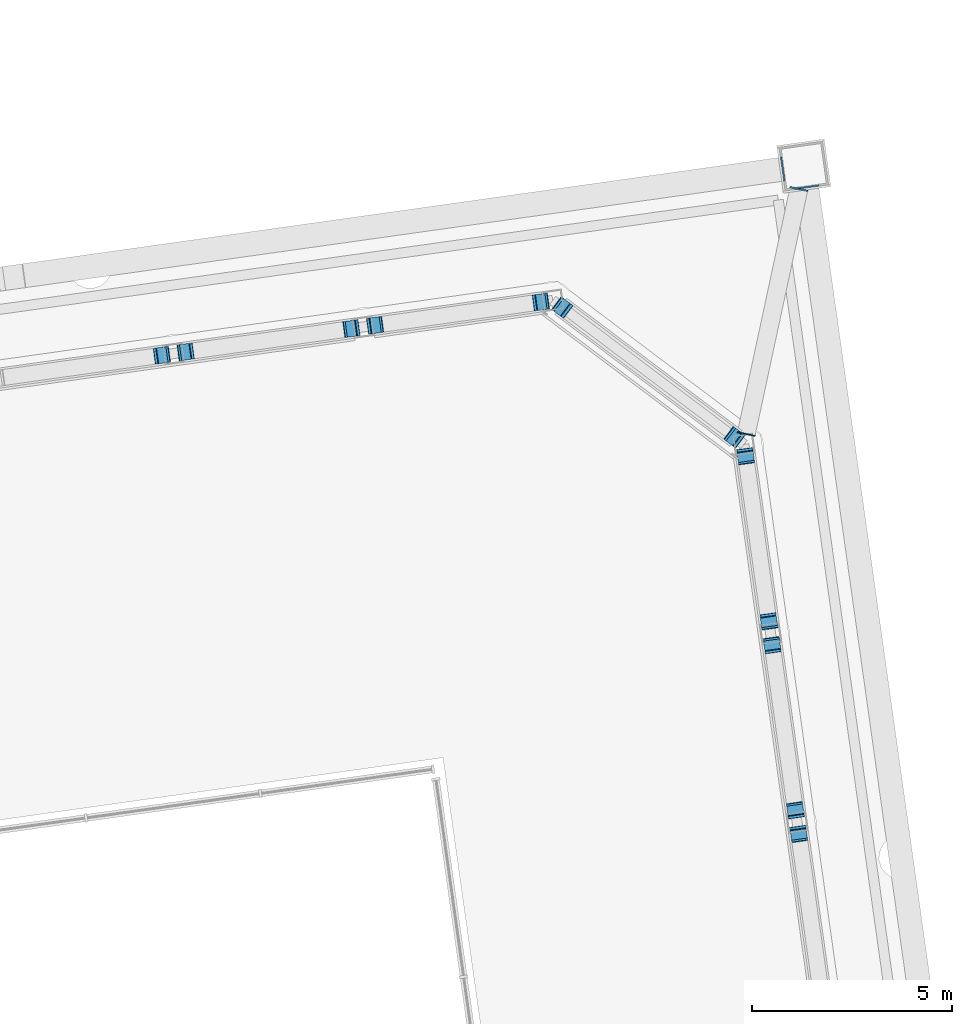
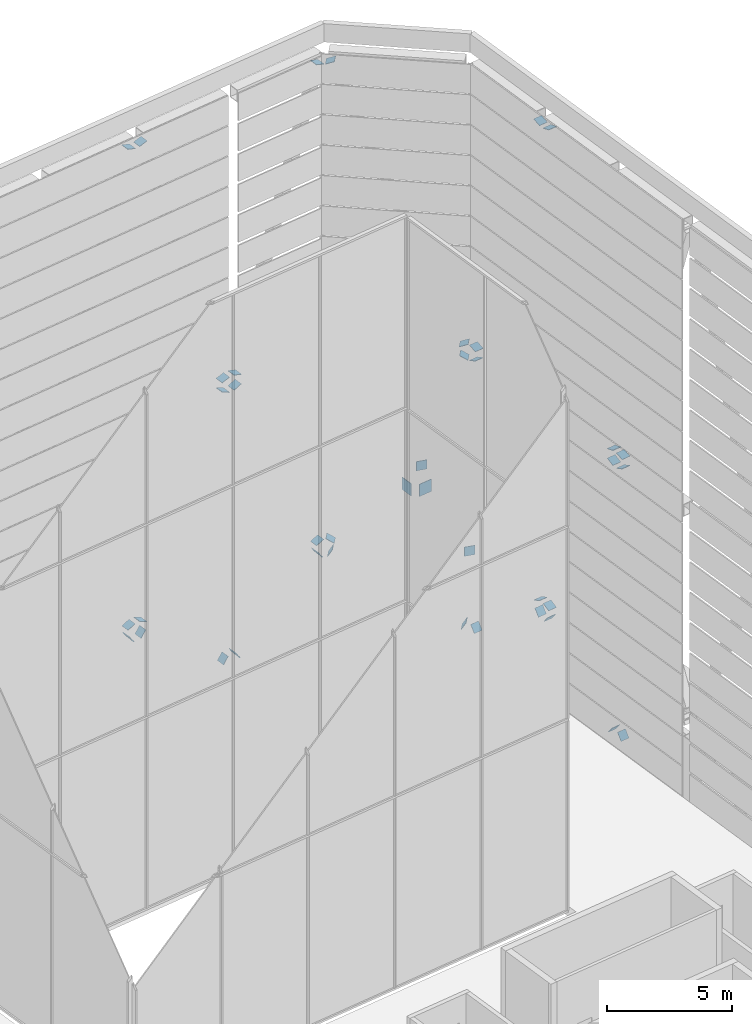
# One storey, part 41 of 45: 40 discrete accessories.
"""IFC4 building model written with IfcOpenShell, lengths in metres."""

import ifcopenshell
import ifcopenshell.guid

model = None  # the IFC model being written
_history = None  # IfcOwnerHistory: only IFC2X3 demands one
_inside = {}  # id of a spatial element -> (the spatial element, [elements in it])
_under = {}  # id of a project, library or spatial element -> (it, [spatial elements below it])
_declared = {}  # id of a project -> (the project, [libraries it declares])
_typed = {}  # id of a type object -> (the type object, [elements of that type])
_made_of = {}  # id of a material, layer set ... -> (it, [elements and type objects made of it])


def new_model(schema):
    """Start an empty IFC model of exactly this schema.

    Asked for "IFC4X3", IfcOpenShell would pick the latest addendum, in which some entities
    have other attributes; the version numbers below select the first issue.
    IFC2X3 requires an IfcOwnerHistory on every rooted entity: one is made here for all.
    """
    global model, _history
    if schema == "IFC4X3":
        model = ifcopenshell.file(schema_version=(4, 3, 0, 0))
    else:
        model = ifcopenshell.file(schema=schema)
    _inside.clear()
    _under.clear()
    _declared.clear()
    _typed.clear()
    _made_of.clear()
    _history = None
    if model.schema == "IFC2X3":
        org = make("IfcOrganization", Name="unknown")
        user = make(
            "IfcPersonAndOrganization",
            ThePerson=make("IfcPerson", FamilyName="unknown"),
            TheOrganization=org,
        )
        app = make(
            "IfcApplication",
            ApplicationDeveloper=org,
            Version="unknown",
            ApplicationFullName="unknown",
            ApplicationIdentifier="unknown",
        )
        _history = make(
            "IfcOwnerHistory",
            OwningUser=user,
            OwningApplication=app,
            ChangeAction="ADDED",
            CreationDate=0,
        )
    return model


def make(cls, **values):
    """One entity of the class cls with the attributes given. An attribute that is None is left unset."""
    return model.create_entity(
        cls, **{name: value for name, value in values.items() if value is not None}
    )


def rooted(cls, **values):
    """An entity with a GlobalId (a new one), such as an element, a storey or a relation."""
    return make(cls, GlobalId=ifcopenshell.guid.new(), OwnerHistory=_history, **values)


def si_unit(unit_type, name, prefix=None):
    """IfcSIUnit, for example si_unit("LENGTHUNIT", "METRE", prefix="MILLI")."""
    return make("IfcSIUnit", UnitType=unit_type, Prefix=prefix, Name=name)


def assignment(units):
    """IfcUnitAssignment: the units of a project."""
    return None if units is None else make("IfcUnitAssignment", Units=units)


def point(xyz):
    """IfcCartesianPoint."""
    return None if xyz is None else make("IfcCartesianPoint", Coordinates=xyz)


def direction(xyz):
    """IfcDirection."""
    return None if xyz is None else make("IfcDirection", DirectionRatios=xyz)


def frame(location, z_axis=None, x_axis=None):
    """IfcAxis2Placement3D, a coordinate frame: its origin and axes. An axis left out is left unset."""
    return make(
        "IfcAxis2Placement3D",
        Location=point(location),
        Axis=direction(z_axis),
        RefDirection=direction(x_axis),
    )


def frame_2d(location, x_axis=None):
    """IfcAxis2Placement2D, a coordinate frame in the plane: its origin and x axis."""
    return make(
        "IfcAxis2Placement2D", Location=point(location), RefDirection=direction(x_axis)
    )


def origin():
    """The frame at (0, 0, 0) with its axes left unset."""
    return frame((0.0, 0.0, 0.0))


def origin_2d():
    """The frame at (0, 0) in the plane with its x axis left unset."""
    return frame_2d((0.0, 0.0))


def place(relative_to, where):
    """IfcLocalPlacement: puts the frame where relative to a parent placement (None: the world)."""
    return make(
        "IfcLocalPlacement", PlacementRelTo=relative_to, RelativePlacement=where
    )


def context(
    kind, dimensions, precision=None, world=None, true_north=None, identifier=None
):
    """IfcGeometricRepresentationContext, for example the 3D "Model" context."""
    return make(
        "IfcGeometricRepresentationContext",
        ContextIdentifier=identifier,
        ContextType=kind,
        CoordinateSpaceDimension=dimensions,
        Precision=precision,
        WorldCoordinateSystem=world,
        TrueNorth=true_north,
    )


def subcontext(parent, identifier, kind, view, scale=None):
    """IfcGeometricRepresentationSubContext, for example "Body" below "Model"."""
    return make(
        "IfcGeometricRepresentationSubContext",
        ContextIdentifier=identifier,
        ContextType=kind,
        ParentContext=parent,
        TargetScale=scale,
        TargetView=view,
    )


def project(units=None, contexts=None):
    """IfcProject with its units and contexts."""
    return rooted(
        "IfcProject",
        Name="project",
        RepresentationContexts=contexts,
        UnitsInContext=assignment(units),
    )


def spatial(cls, under=None, at=None, **own):
    """A site, building, storey or space (cls), placed at a placement, below another one or the project."""
    s = rooted(cls, ObjectPlacement=at, **own)
    if under is not None:
        _under.setdefault(under.id(), (under, []))[1].append(s)
    return s


def profile(cls, at=None, kind="AREA", **sizes):
    """A parametric profile (cls). Its sizes go by their IFC names, for example OverallWidth=200.0."""
    return make(cls, ProfileType=kind, Position=at, **sizes)


def rectangle(**sizes):
    """IfcRectangleProfileDef."""
    return profile("IfcRectangleProfileDef", **sizes)


def extrude(swept, where, along, depth):
    """IfcExtrudedAreaSolid: the profile swept, set in the frame where, extruded along a direction by depth."""
    return make(
        "IfcExtrudedAreaSolid",
        SweptArea=swept,
        Position=where,
        ExtrudedDirection=direction(along),
        Depth=depth,
    )


def shape(context_of_items, identifier, shape_type, items):
    """IfcShapeRepresentation: the items that make up one representation, for example the "Body"."""
    return make(
        "IfcShapeRepresentation",
        ContextOfItems=context_of_items,
        RepresentationIdentifier=identifier,
        RepresentationType=shape_type,
        Items=items,
    )


def material(Name=None, Category=None):
    """IfcMaterial."""
    return make("IfcMaterial", Name=Name, Category=Category)


def material_profile(
    of_material, cross_section, Name=None, Category=None, Priority=None
):
    """IfcMaterialProfile: a cross section and its material."""
    return make(
        "IfcMaterialProfile",
        Name=Name,
        Material=of_material,
        Profile=cross_section,
        Priority=Priority,
        Category=Category,
    )


def profile_set(profiles, Name=None, composite=None):
    """IfcMaterialProfileSet."""
    return make(
        "IfcMaterialProfileSet",
        Name=Name,
        MaterialProfiles=profiles,
        CompositeProfile=composite,
    )


def made_of(thing, what):
    """Note that an element or type object is made of a material, layer set ...; save() writes the relation."""
    if what is not None:
        _made_of.setdefault(what.id(), (what, []))[1].append(thing)
    return thing


def type_object(cls, material=None, **own):
    """A type object (cls), such as IfcWallType, which elements share."""
    return made_of(rooted(cls, **own), material)


def element(
    cls,
    number,
    at=None,
    inside=None,
    cuts=None,
    type_object=None,
    material=None,
    context=None,
    identifier="Body",
    shape_type=None,
    held_by="IfcProductDefinitionShape",
    body=None,
    shapes=None,
    **own,
):
    """One element of the class cls, such as IfcWall. Its Tag is "e" and its number.

    at: its placement. inside: the storey or other place that contains it. cuts: it is an
    opening in that element (IfcRelVoidsElement). A single representation is given by context,
    identifier, shape_type and body (its items); several are given by shapes. held_by: the class
    of the entity that holds the representations. save() writes the other relations.
    """
    e = rooted(cls, Tag="e%d" % number, ObjectPlacement=at, **own)
    if body is not None:
        shapes = [shape(context, identifier, shape_type, body)]
    if shapes is not None:
        e.Representation = make(held_by, Representations=shapes)
    if inside is not None:
        _inside.setdefault(inside.id(), (inside, []))[1].append(e)
    if cuts is not None:
        rooted(
            "IfcRelVoidsElement", RelatingBuildingElement=cuts, RelatedOpeningElement=e
        )
    if type_object is not None:
        _typed.setdefault(type_object.id(), (type_object, []))[1].append(e)
    return made_of(e, material)


def aggregate(whole, parts):
    """IfcRelAggregates: a whole, such as a stair, and the parts it consists of."""
    return rooted("IfcRelAggregates", RelatingObject=whole, RelatedObjects=parts)


def save(model, path):
    """Write the relations noted so far, then the file.

    IfcRelAggregates (storeys below a building ...), IfcRelContainedInSpatialStructure (elements
    in a storey), IfcRelDefinesByType, IfcRelAssociatesMaterial and IfcRelDeclares: one each for
    every whole, place, type object, material and project.
    """
    for whole, parts in _under.values():
        aggregate(whole, parts)
    for where, things in _inside.values():
        rooted(
            "IfcRelContainedInSpatialStructure",
            RelatedElements=things,
            RelatingStructure=where,
        )
    for kind, things in _typed.values():
        rooted("IfcRelDefinesByType", RelatedObjects=things, RelatingType=kind)
    for what, things in _made_of.values():
        rooted("IfcRelAssociatesMaterial", RelatedObjects=things, RelatingMaterial=what)
    for by, libraries in _declared.values():
        rooted("IfcRelDeclares", RelatingContext=by, RelatedDefinitions=libraries)
    model.write(path)


model = new_model("IFC4")

# Units and contexts
model_context = context("Model", 3, precision=1e-05, world=origin(), true_north=direction((0.0, 1.0)))
body_context = subcontext(model_context, "Body", "Model", "MODEL_VIEW")
ifc_project = project(units=[si_unit("LENGTHUNIT", "METRE"), si_unit("AREAUNIT", "SQUARE_METRE"), si_unit("VOLUMEUNIT", "CUBIC_METRE"), si_unit("PLANEANGLEUNIT", "RADIAN"), si_unit("MASSUNIT", "GRAM", prefix="KILO")], contexts=[model_context])

# Site, building, storey
site_placement = place(None, origin())
site = spatial("IfcSite", under=ifc_project, at=site_placement, CompositionType="ELEMENT")
building_placement = place(site_placement, origin())
building = spatial("IfcBuilding", under=site, at=building_placement, Name="Mirante Cascada Hotel Towers", CompositionType="ELEMENT")
storey_placement = place(building_placement, frame((0.0, 0.0, 269.8)))
storey = spatial("IfcBuildingStorey", under=building, at=storey_placement, Name="Roof garden", CompositionType="ELEMENT", Elevation=269.8)

# Discrete accessories
ifc_material_1 = material(Name="Steel ASTM A572 Gr 50", Category="steel")
ifc_material_profile_1 = material_profile(ifc_material_1, rectangle(XDim=0.4, YDim=0.4, at=origin_2d()), Name="Connection plate 400x400x25 ASTM A572 Gr 50")
ifc_profile_set_1 = profile_set([ifc_material_profile_1], Name="Steel ASTM A572 Gr 50")
discrete_accessory_type_1 = type_object("IfcDiscreteAccessoryType", Name="Connection plate 400x400x25 ASTM A572 Gr 50", PredefinedType="BRACKET", material=ifc_profile_set_1)
for number, where, z_axis, x_axis, name in (
    (1, (39.726, 18.0992, 3.6926), (0.7973471, 0.1121895, 0.5930018), (-0.1393311, 0.9902459, 0.0), "Connection plate HT-D"),
    (2, (44.4868, 18.7683, 0.5926), (-0.7973471, -0.1121895, 0.5930018), (0.1393311, -0.9902459, 0.0), "Connection plate HT-D"),
    (3, (40.34, 18.1855, 3.6926), (-0.7973471, -0.1121895, 0.5930018), (0.1393311, -0.9902459, 0.0), "Connection plate HT-D"),
    (4, (45.061, 18.849, 0.5926), (0.7973471, 0.1121895, 0.5930018), (-0.1393311, 0.9902459, 0.0), "Connection plate HT-D"),
    (5, (49.2078, 19.4318, 3.6926), (0.7973471, 0.1121895, 0.5930018), (-0.1393311, 0.9902459, 0.0), "Connection plate HT-D"),
):
    element("IfcDiscreteAccessory", number, at=place(storey_placement, frame(where, z_axis=z_axis, x_axis=x_axis)), inside=storey, type_object=discrete_accessory_type_1, Name=name, PredefinedType="BRACKET", context=body_context, shape_type="SweptSolid", body=[
        extrude(rectangle(XDim=0.4, YDim=0.4, at=origin_2d()), origin(), (0.0, 0.0, 1.0), 0.025),
    ])
for number, where, z_axis, x_axis, name in (
    (6, (54.0686, 16.0434, 0.5938), (-0.6936389, 0.5212316, 0.4971747), (-0.6007391, -0.7994451, 0.0), "Connection plate HT-D"),
    (7, (49.763, 19.2879, 3.6938), (-0.6936389, 0.5212316, 0.4971747), (-0.6007391, -0.7994451, 0.0), "Connection plate HT-D"),
):
    element("IfcDiscreteAccessory", number, at=place(storey_placement, frame(where, z_axis=z_axis, x_axis=x_axis)), inside=storey, type_object=discrete_accessory_type_1, Name=name, PredefinedType="BRACKET", context=body_context, shape_type="SweptSolid", body=[
        extrude(rectangle(XDim=0.4, YDim=0.4, at=origin_2d()), origin(), (0.0, 0.0, 1.0), 0.0249),
    ])
for number, where, z_axis, x_axis, name in (
    (8, (54.3399, 15.5822, 0.5925), (0.1116566, -0.7935596, 0.5981605), (0.9902459, 0.1393311, 0.0), "Connection plate HT-D"),
    (9, (54.9204, 11.4516, 3.6925), (0.1116566, -0.7935596, 0.5981605), (0.9902459, 0.1393311, 0.0), "Connection plate HT-D"),
):
    element("IfcDiscreteAccessory", number, at=place(storey_placement, frame(where, z_axis=z_axis, x_axis=x_axis)), inside=storey, type_object=discrete_accessory_type_1, Name=name, PredefinedType="BRACKET", context=body_context, shape_type="SweptSolid", body=[
        extrude(rectangle(XDim=0.4, YDim=0.4, at=origin_2d()), origin(), (0.0, 0.0, 1.0), 0.0251),
    ])
for number, where, z_axis, x_axis, name in (
    (10, (55.5872, 6.707, 0.5925), (-0.1120108, 0.792076, 0.6000576), (-0.9901485, -0.140021, 0.0), "Connection plate HT-D"),
    (11, (55.0067, 10.8376, 3.6925), (-0.1120108, 0.792076, 0.6000576), (-0.9901485, -0.140021, 0.0), "Connection plate HT-D"),
):
    element("IfcDiscreteAccessory", number, at=place(storey_placement, frame(where, z_axis=z_axis, x_axis=x_axis)), inside=storey, type_object=discrete_accessory_type_1, Name=name, PredefinedType="BRACKET", context=body_context, shape_type="SweptSolid", body=[
        extrude(rectangle(XDim=0.4, YDim=0.4, at=origin_2d()), origin(), (0.0, 0.0, 1.0), 0.025),
    ])
discrete_accessory_1_placement = place(storey_placement, frame((55.668, 6.1327, 0.5925), z_axis=(0.107716, -0.7939068, 0.5984222), x_axis=(0.9909208, 0.1344465, 0.0)))
element("IfcDiscreteAccessory", 12, at=discrete_accessory_1_placement, inside=storey, type_object=discrete_accessory_type_1, Name="Connection plate HT-D", PredefinedType="BRACKET", context=body_context, shape_type="SweptSolid", body=[
    extrude(rectangle(XDim=0.4, YDim=0.4, at=origin_2d()), origin(), (0.0, 0.0, 1.0), 0.0251),
])
for number, where, z_axis, x_axis, name in (
    (13, (39.741, 18.1013, 4.2886), (-0.4043852, -0.0560534, 0.9128695), (0.1373011, -0.9905294, 0.0), "Connection plate CF-B"),
    (14, (40.325, 18.1834, 4.2886), (0.4043852, 0.0560534, 0.9128695), (-0.1373011, 0.9905294, 0.0), "Connection plate CF-B"),
):
    element("IfcDiscreteAccessory", number, at=place(storey_placement, frame(where, z_axis=z_axis, x_axis=x_axis)), inside=storey, type_object=discrete_accessory_type_1, Name=name, PredefinedType="BRACKET", context=body_context, shape_type="SweptSolid", body=[
        extrude(rectangle(XDim=0.4, YDim=0.4, at=origin_2d()), origin(), (0.0, 0.0, 1.0), 0.025),
    ])
for number, where, z_axis, x_axis, name in (
    (15, (44.4718, 18.7662, 13.6886), (0.4010279, 0.0561439, 0.9143437), (-0.1386478, 0.9903417, 0.0), "Connection plate CF-B"),
    (16, (49.2227, 19.4339, 4.2886), (-0.4010279, -0.0561439, 0.9143437), (0.1386478, -0.9903417, 0.0), "Connection plate CF-B"),
):
    element("IfcDiscreteAccessory", number, at=place(storey_placement, frame(where, z_axis=z_axis, x_axis=x_axis)), inside=storey, type_object=discrete_accessory_type_1, Name=name, PredefinedType="BRACKET", context=body_context, shape_type="SweptSolid", body=[
        extrude(rectangle(XDim=0.4, YDim=0.4, at=origin_2d()), origin(), (0.0, 0.0, 1.0), 0.0249),
    ])
discrete_accessory_2_placement = place(storey_placement, frame((45.076, 18.8511, 13.6886), z_axis=(-0.4043852, -0.0560534, 0.9128695), x_axis=(0.1373011, -0.9905294, 0.0)))
element("IfcDiscreteAccessory", 17, at=discrete_accessory_2_placement, inside=storey, type_object=discrete_accessory_type_1, Name="Connection plate CF-B", PredefinedType="BRACKET", context=body_context, shape_type="SweptSolid", body=[
    extrude(rectangle(XDim=0.4, YDim=0.4, at=origin_2d()), origin(), (0.0, 0.0, 1.0), 0.025),
])
for number, where, z_axis, x_axis, name in (
    (18, (49.7494, 19.2981, 4.2892), (0.3973309, -0.3010083, 0.8669038), (0.6038577, 0.7970921, 0.0), "Connection plate CF-B"),
    (19, (54.055, 16.0536, 13.6892), (0.3978086, -0.2973519, 0.867946), (0.5987047, 0.8009698, 0.0), "Connection plate CF-B"),
):
    element("IfcDiscreteAccessory", number, at=place(storey_placement, frame(where, z_axis=z_axis, x_axis=x_axis)), inside=storey, type_object=discrete_accessory_type_1, Name=name, PredefinedType="BRACKET", context=body_context, shape_type="SweptSolid", body=[
        extrude(rectangle(XDim=0.4, YDim=0.4, at=origin_2d()), origin(), (0.0, 0.0, 1.0), 0.0249),
    ])
for number, where, z_axis, x_axis, name in (
    (20, (54.9225, 11.4366, 4.2886), (-0.0560534, 0.4043852, 0.9128695), (-0.9905294, -0.1373011, 0.0), "Connection plate CF-B"),
    (21, (54.342, 15.5672, 13.6886), (-0.0560534, 0.4043852, 0.9128695), (-0.9905294, -0.1373011, 0.0), "Connection plate CF-B"),
):
    element("IfcDiscreteAccessory", number, at=place(storey_placement, frame(where, z_axis=z_axis, x_axis=x_axis)), inside=storey, type_object=discrete_accessory_type_1, Name=name, PredefinedType="BRACKET", context=body_context, shape_type="SweptSolid", body=[
        extrude(rectangle(XDim=0.4, YDim=0.4, at=origin_2d()), origin(), (0.0, 0.0, 1.0), 0.025),
    ])
for number, where, z_axis, x_axis, name in (
    (22, (55.0046, 10.8525, 4.2886), (0.0561439, -0.4010279, 0.9143437), (0.9903417, 0.1386478, 0.0), "Connection plate CF-B"),
    (23, (55.5851, 6.7219, 13.6886), (0.0561439, -0.4010279, 0.9143437), (0.9903417, 0.1386478, 0.0), "Connection plate CF-B"),
):
    element("IfcDiscreteAccessory", number, at=place(storey_placement, frame(where, z_axis=z_axis, x_axis=x_axis)), inside=storey, type_object=discrete_accessory_type_1, Name=name, PredefinedType="BRACKET", context=body_context, shape_type="SweptSolid", body=[
        extrude(rectangle(XDim=0.4, YDim=0.4, at=origin_2d()), origin(), (0.0, 0.0, 1.0), 0.0249),
    ])
discrete_accessory_3_placement = place(storey_placement, frame((55.6701, 6.1177, 13.6886), z_axis=(-0.0600432, 0.4042912, 0.9126574), x_axis=(-0.9891508, -0.1469036, 0.0)))
element("IfcDiscreteAccessory", 24, at=discrete_accessory_3_placement, inside=storey, type_object=discrete_accessory_type_1, Name="Connection plate CF-B", PredefinedType="BRACKET", context=body_context, shape_type="SweptSolid", body=[
    extrude(rectangle(XDim=0.4, YDim=0.4, at=origin_2d()), origin(), (0.0, 0.0, 1.0), 0.025),
])
for number, where, z_axis, x_axis, name in (
    (25, (39.7322, 18.1001, 27.6381), (0.2966653, 0.0400899, 0.9541397), (-0.1339179, 0.9909924, 0.0), "Connection plate CF-B"),
    (26, (44.4805, 18.7674, 14.2881), (-0.2966653, -0.0400899, 0.9541397), (0.1339179, -0.9909924, 0.0), "Connection plate CF-B"),
    (27, (40.3338, 18.1846, 27.6381), (-0.2966653, -0.0400899, 0.9541397), (0.1339179, -0.9909924, 0.0), "Connection plate CF-B"),
    (28, (45.0673, 18.8499, 14.2881), (0.2966653, 0.0400899, 0.9541397), (-0.1339179, 0.9909924, 0.0), "Connection plate CF-B"),
    (29, (49.214, 19.4327, 27.6381), (0.2966653, 0.0400899, 0.9541397), (-0.1339179, 0.9909924, 0.0), "Connection plate CF-B"),
):
    element("IfcDiscreteAccessory", number, at=place(storey_placement, frame(where, z_axis=z_axis, x_axis=x_axis)), inside=storey, type_object=discrete_accessory_type_1, Name=name, PredefinedType="BRACKET", context=body_context, shape_type="SweptSolid", body=[
        extrude(rectangle(XDim=0.4, YDim=0.4, at=origin_2d()), origin(), (0.0, 0.0, 1.0), 0.0249),
    ])
for number, where, z_axis, x_axis, name in (
    (30, (54.0637, 16.0471, 14.2884), (-0.2997962, 0.2238478, 0.9273696), (-0.5982892, -0.8012802, 0.0), "Connection plate CF-B"),
    (31, (49.7581, 19.2916, 27.6384), (-0.2997962, 0.2238478, 0.9273696), (-0.5982892, -0.8012802, 0.0), "Connection plate CF-B"),
):
    element("IfcDiscreteAccessory", number, at=place(storey_placement, frame(where, z_axis=z_axis, x_axis=x_axis)), inside=storey, type_object=discrete_accessory_type_1, Name=name, PredefinedType="BRACKET", context=body_context, shape_type="SweptSolid", body=[
        extrude(rectangle(XDim=0.4, YDim=0.4, at=origin_2d()), origin(), (0.0, 0.0, 1.0), 0.025),
    ])
for number, where, z_axis, x_axis, name in (
    (32, (54.3408, 15.576, 14.2881), (0.0400899, -0.2966653, 0.9541397), (0.9909924, 0.1339179, 0.0), "Connection plate CF-B"),
    (33, (54.9213, 11.4454, 27.6381), (0.0400899, -0.2966653, 0.9541397), (0.9909924, 0.1339179, 0.0), "Connection plate CF-B"),
    (34, (55.5864, 6.7132, 14.2881), (-0.0440915, 0.2966152, 0.9539787), (-0.9891316, -0.1470331, 0.0), "Connection plate CF-B"),
    (35, (55.0058, 10.8438, 27.6381), (-0.0400899, 0.2966653, 0.9541397), (-0.9909924, -0.1339179, 0.0), "Connection plate CF-B"),
    (36, (55.6688, 6.1264, 14.2881), (0.0440915, -0.2966152, 0.9539787), (0.9891316, 0.1470331, 0.0), "Connection plate CF-B"),
):
    element("IfcDiscreteAccessory", number, at=place(storey_placement, frame(where, z_axis=z_axis, x_axis=x_axis)), inside=storey, type_object=discrete_accessory_type_1, Name=name, PredefinedType="BRACKET", context=body_context, shape_type="SweptSolid", body=[
        extrude(rectangle(XDim=0.4, YDim=0.4, at=origin_2d()), origin(), (0.0, 0.0, 1.0), 0.0249),
    ])
ifc_material_2 = material(Name="Steel ASTM A572 Gr 50", Category="steel")
ifc_material_profile_2 = material_profile(ifc_material_2, rectangle(XDim=0.45, YDim=0.45, at=origin_2d()), Name="Connection plate 450x450x25 ASTM A572 Gr 50")
ifc_profile_set_2 = profile_set([ifc_material_profile_2], Name="Steel ASTM A572 Gr 50")
discrete_accessory_type_2 = type_object("IfcDiscreteAccessoryType", Name="Connection plate 450x450x25 ASTM A572 Gr 50", PredefinedType="BRACKET", material=ifc_profile_set_2)
discrete_accessory_4_placement = place(storey_placement, frame((55.6747, 22.2712, 4.0), z_axis=(-0.20762, -0.9782096, 0.0), x_axis=(0.9782096, -0.20762, 0.0)))
element("IfcDiscreteAccessory", 37, at=discrete_accessory_4_placement, inside=storey, type_object=discrete_accessory_type_2, Name="Connection plate CF-T", PredefinedType="BRACKET", context=body_context, shape_type="SweptSolid", body=[
    extrude(rectangle(XDim=0.45, YDim=0.45, at=origin_2d()), origin(), (0.0, 0.0, 1.0), 0.025),
])
discrete_accessory_5_placement = place(storey_placement, frame((54.3581, 16.1419, 4.0), z_axis=(-0.2114358, -0.9773919, 0.0), x_axis=(0.9773919, -0.2114358, 0.0)))
element("IfcDiscreteAccessory", 38, at=discrete_accessory_5_placement, inside=storey, type_object=discrete_accessory_type_2, Name="Connection plate CF-T", PredefinedType="BRACKET", context=body_context, shape_type="SweptSolid", body=[
    extrude(rectangle(XDim=0.45, YDim=0.45, at=origin_2d()), origin(), (0.0, 0.0, 1.0), 0.0251),
])
ifc_material_3 = material(Name="Steel ASTM A572 Gr 50", Category="steel")
ifc_material_profile_3 = material_profile(ifc_material_3, rectangle(XDim=0.6, YDim=0.6, at=origin_2d()), Name="Connection plate 600x600x25 ASTM A572 Gr 50")
ifc_profile_set_3 = profile_set([ifc_material_profile_3], Name="Steel ASTM A572 Gr 50")
discrete_accessory_type_3 = type_object("IfcDiscreteAccessoryType", Name="Connection plate 600x600x25 ASTM A572 Gr 50", PredefinedType="BRACKET", material=ifc_profile_set_3)
for number, where, z_axis, x_axis, name in (
    (39, (55.2579, 22.7561, 2.8), (0.9901876, 0.1397442, 0.0), (-0.1397442, 0.9901876, 0.0), "Connection plate NCH"),
    (40, (55.8706, 22.2944, 2.8), (-0.1358263, 0.9907327, 0.0), (-0.9907327, -0.1358263, 0.0), "Connection plate NCH"),
):
    element("IfcDiscreteAccessory", number, at=place(storey_placement, frame(where, z_axis=z_axis, x_axis=x_axis)), inside=storey, type_object=discrete_accessory_type_3, Name=name, PredefinedType="BRACKET", context=body_context, shape_type="SweptSolid", body=[
        extrude(rectangle(XDim=0.6, YDim=0.6, at=origin_2d()), origin(), (0.0, 0.0, 1.0), 0.025),
    ])

save(model, "model.ifc")
